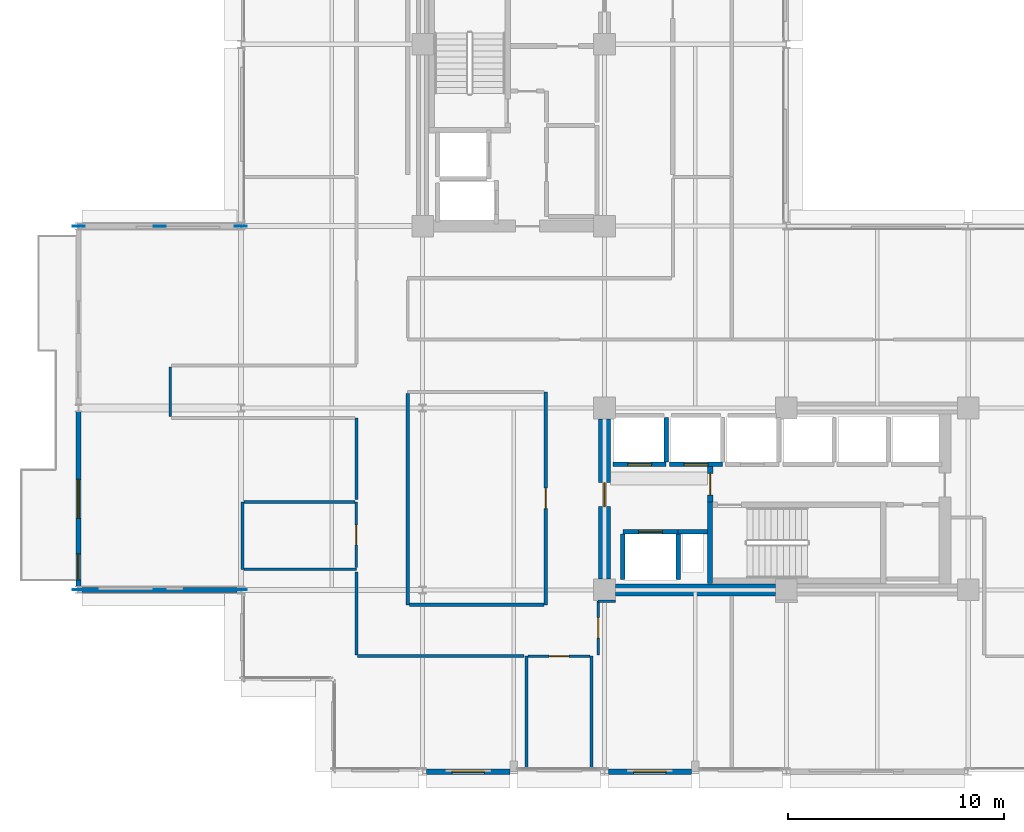
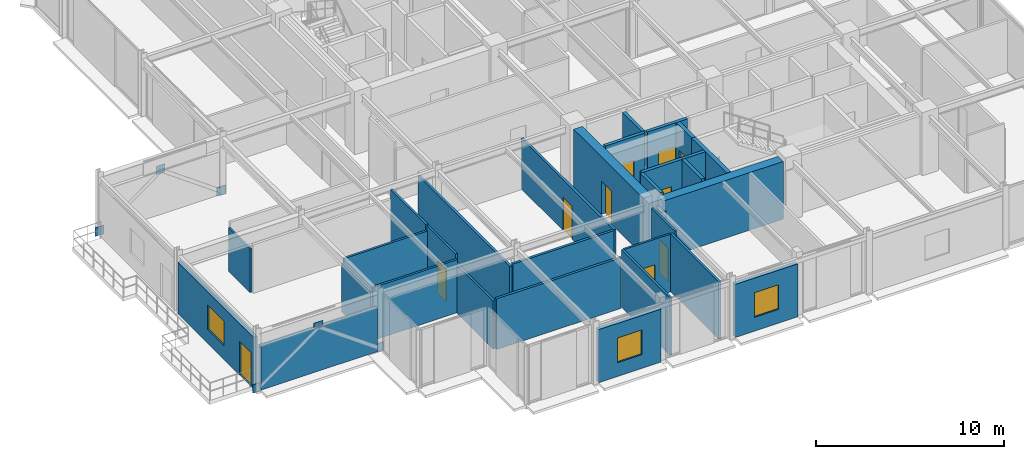
# One storey, part 24 of 30: 31 walls, 10 doors, 6 plates, 3 windows, 13 openings.
"""IFC4 building model written with IfcOpenShell, lengths in metres."""

from ifc_helpers import new_model, si_unit, direction, frame, frame_2d, origin, origin_2d, place, context, subcontext, project, spatial, rectangle, extrude, material, layer, layer_set, type_object, element, fill, save


model = new_model("IFC4")

# Units and contexts
model_context = context("Model", 3, precision=1e-05, world=origin(), true_north=direction((0.0, 1.0)))
body_context = subcontext(model_context, "Body", "Model", "MODEL_VIEW")
ifc_project = project(units=[si_unit("LENGTHUNIT", "METRE"), si_unit("AREAUNIT", "SQUARE_METRE"), si_unit("VOLUMEUNIT", "CUBIC_METRE"), si_unit("PLANEANGLEUNIT", "RADIAN"), si_unit("MASSUNIT", "GRAM", prefix="KILO")], contexts=[model_context])

# Site, building, storey
site_placement = place(None, origin())
site = spatial("IfcSite", under=ifc_project, at=site_placement, CompositionType="ELEMENT")
building_placement = place(site_placement, origin())
building = spatial("IfcBuilding", under=site, at=building_placement, Name="Nerrivon Quay Data Exchange", CompositionType="ELEMENT")
storey_placement = place(building_placement, frame((0.0, 0.0, 216.5)))
storey = spatial("IfcBuildingStorey", under=building, at=storey_placement, Name="L51", CompositionType="ELEMENT", Elevation=216.5)

# Plates
ifc_material_1 = material(Name="Steel Grade 350", Category="steel")
ifc_layer_1 = layer(ifc_material_1, 0.0400390625)
ifc_layer_set_1 = layer_set([ifc_layer_1], Name="Steel Grade 350")
plate_type = type_object("IfcPlateType", Name="PLT-TN02", PredefinedType="USERDEFINED", material=ifc_layer_set_1)
for number, where, z_axis, x_axis, name in (
    (1, (-0.010009765625, 8.39990234375, -0.115234375), (0.0, 0.0, 1.0), (1.0, 0.0, 0.0), "L51 node plate 69"),
    (2, (-3.75, 8.39990234375, 2.5751953125), (0.0, 0.0, 1.0), (1.0, 0.0, 0.0), "L51 node plate 70"),
    (3, (-7.4921875, 8.39990234375, -0.115234375), (0.0, 0.0, 1.0), (1.0, 0.0, 0.0), "L51 node plate 71"),
    (4, (-0.010009765625, 25.199951171875, -0.115234375), (0.0, 0.0, 1.0), (1.0, 0.0, 0.0), "L51 node plate 72"),
    (5, (-3.75, 25.199951171875, 2.5751953125), (0.0, 0.0, 1.0), (1.0, 0.0, 0.0), "L51 node plate 73"),
    (6, (-7.4921875, 25.199951171875, -0.115234375), (0.0, 0.0, 1.0), (1.0, 0.0, 0.0), "L51 node plate 74"),
):
    element("IfcPlate", number, at=place(storey_placement, frame(where, z_axis=z_axis, x_axis=x_axis)), inside=storey, type_object=plate_type, Name=name, ObjectType="GUSSET PLATE", PredefinedType="USERDEFINED", context=body_context, shape_type="SweptSolid", body=[
        extrude(rectangle(XDim=0.550048828125, YDim=0.035888671875, at=origin_2d()), origin(), (0.0, 0.0, 1.0), 0.550048828125),
    ])

# Wall, openings, door, window
ifc_material_2 = material(Name="Architectural terracotta precast concrete N50 (50 MPa)", Category="masonry")
ifc_layer_2 = layer(ifc_material_2, 0.239990234375)
ifc_layer_set_2 = layer_set([ifc_layer_2], Name="Architectural terracotta precast concrete N50 (50 MPa)")
wall_type_1 = type_object("IfcWallType", Name="EW-PREC-240", PredefinedType="STANDARD", material=ifc_layer_set_2)
wall_1_placement = place(storey_placement, frame((-7.5, 8.5634765625, 0.0), z_axis=(0.0, 0.0, 1.0), x_axis=(0.0, 1.0, 0.0)))
wall_1 = element("IfcWall", 7, at=wall_1_placement, inside=storey, type_object=wall_type_1, Name="L51 Terrace Host Wall 1", PredefinedType="STANDARD", context=body_context, shape_type="SweptSolid", body=[
    extrude(rectangle(XDim=8.072998046875, YDim=0.239990234375, at=frame_2d((4.03662109375, 0.0))), origin(), (0.0, 0.0, 1.0), 3.346923828125),
])
opening_1_placement = place(wall_1_placement, frame((0.300048828125, 0.0, 0.0)))
opening_1 = element("IfcOpeningElement", 8, at=opening_1_placement, cuts=wall_1, Name="Opening TD1", PredefinedType="OPENING", context=body_context, shape_type="SweptSolid", body=[
    extrude(rectangle(XDim=1.199951171875, YDim=2.199951171875, at=frame_2d((0.60009765625, 1.10009765625))), frame((0.0, 0.1298828125, 0.0), z_axis=(0.0, -1.0, 0.0), x_axis=(1.0, 0.0, 0.0)), (0.0, 0.0, 1.0), 0.260009765625),
])
opening_2_placement = place(wall_1_placement, frame((3.136474609375, 0.0, 0.89990234375)))
opening_2 = element("IfcOpeningElement", 9, at=opening_2_placement, cuts=wall_1, Name="Opening WN2", PredefinedType="OPENING", context=body_context, shape_type="SweptSolid", body=[
    extrude(rectangle(XDim=1.800048828125, YDim=1.60009765625, at=frame_2d((0.89990234375, 0.800048828125))), frame((0.0, 0.1298828125, 0.0), z_axis=(0.0, -1.0, 0.0), x_axis=(1.0, 0.0, 0.0)), (0.0, 0.0, 1.0), 0.260009765625),
])
ifc_material_3 = material(Name="Double-glazed low-E solar control glass", Category="glass")
door_type_1 = type_object("IfcDoorType", Name="DR-TERR-1200x2200", OperationType="NOTDEFINED", PredefinedType="DOOR", material=ifc_material_3)
door_1_placement = place(opening_1_placement, origin())
door_1 = element("IfcDoor", 10, at=door_1_placement, inside=storey, type_object=door_type_1, Name="L51 Outdoor Terrace Access Door 1", OperationType="SINGLE_SWING_RIGHT", OverallHeight=2.199951171875, OverallWidth=1.199951171875, PredefinedType="DOOR", context=body_context, shape_type="SweptSolid", body=[
    extrude(rectangle(XDim=1.199951171875, YDim=2.199951171875, at=frame_2d((0.60009765625, 1.10009765625))), frame((0.0, 0.02490234375, 0.0), z_axis=(0.0, -1.0, 0.0), x_axis=(1.0, 0.0, 0.0)), (0.0, 0.0, 1.0), 0.050048828125),
])
fill(opening_1, door_1)
window_type_1 = type_object("IfcWindowType", Name="WIN-W2-1800x1600", PartitioningType="SINGLE_PANEL", PredefinedType="WINDOW", material=ifc_material_3)
window_1_placement = place(opening_2_placement, origin())
window_1 = element("IfcWindow", 11, at=window_1_placement, inside=storey, type_object=window_type_1, Name="L51 Terrace Side Window 1", OverallHeight=1.60009765625, OverallWidth=1.800048828125, PartitioningType="SINGLE_PANEL", PredefinedType="WINDOW", context=body_context, shape_type="SweptSolid", body=[
    extrude(rectangle(XDim=1.800048828125, YDim=1.60009765625, at=frame_2d((0.89990234375, 0.800048828125))), frame((0.0, 0.030029296875, 0.0), z_axis=(0.0, -1.0, 0.0), x_axis=(1.0, 0.0, 0.0)), (0.0, 0.0, 1.0), 0.06005859375),
])
fill(opening_2, window_1)

# Wall, opening, window
wall_2_placement = place(storey_placement, frame((20.824951171875, 0.0, 0.0), z_axis=(0.0, 0.0, 1.0), x_axis=(-1.0, 0.0, 0.0)))
wall_2 = element("IfcWall", 12, at=wall_2_placement, inside=storey, type_object=wall_type_1, Name="L51 Podium Precast Spandrel Wall 25", PredefinedType="STANDARD", context=body_context, shape_type="SweptSolid", body=[
    extrude(rectangle(XDim=3.849853515625, YDim=0.239990234375, at=frame_2d((1.9248046875, 0.0))), origin(), (0.0, 0.0, 1.0), 3.449951171875),
])
opening_3_placement = place(wall_2_placement, frame((1.175048828125, 0.0, 0.89990234375)))
opening_3 = element("IfcOpeningElement", 13, at=opening_3_placement, cuts=wall_2, Name="Opening WN4", PredefinedType="OPENING", context=body_context, shape_type="SweptSolid", body=[
    extrude(rectangle(XDim=1.5, YDim=1.60009765625, at=frame_2d((0.75, 0.800048828125))), frame((0.0, 0.1298828125, 0.0), z_axis=(0.0, -1.0, 0.0), x_axis=(1.0, 0.0, 0.0)), (0.0, 0.0, 1.0), 0.260009765625),
])
window_type_2 = type_object("IfcWindowType", Name="WIN-W4-1500x1600", PartitioningType="SINGLE_PANEL", PredefinedType="WINDOW", material=ifc_material_3)
window_2_placement = place(opening_3_placement, origin())
window_2 = element("IfcWindow", 14, at=window_2_placement, inside=storey, type_object=window_type_2, Name="L51 Solar Facade Window 25", OverallHeight=1.60009765625, OverallWidth=1.5, PartitioningType="SINGLE_PANEL", PredefinedType="WINDOW", context=body_context, shape_type="SweptSolid", body=[
    extrude(rectangle(XDim=1.5, YDim=1.60009765625, at=frame_2d((0.75, 0.800048828125))), frame((0.0, 0.030029296875, 0.0), z_axis=(0.0, -1.0, 0.0), x_axis=(1.0, 0.0, 0.0)), (0.0, 0.0, 1.0), 0.06005859375),
])
fill(opening_3, window_2)

wall_3_placement = place(storey_placement, frame((12.425048828125, 0.0, 0.0), z_axis=(0.0, 0.0, 1.0), x_axis=(-1.0, 0.0, 0.0)))
wall_3 = element("IfcWall", 15, at=wall_3_placement, inside=storey, type_object=wall_type_1, Name="L51 Podium Precast Spandrel Wall 27", PredefinedType="STANDARD", context=body_context, shape_type="SweptSolid", body=[
    extrude(rectangle(XDim=3.85009765625, YDim=0.239990234375, at=frame_2d((1.925048828125, 0.0))), origin(), (0.0, 0.0, 1.0), 3.449951171875),
])
opening_4_placement = place(wall_3_placement, frame((1.175048828125, 0.0, 0.89990234375)))
opening_4 = element("IfcOpeningElement", 16, at=opening_4_placement, cuts=wall_3, Name="Opening WN4", PredefinedType="OPENING", context=body_context, shape_type="SweptSolid", body=[
    extrude(rectangle(XDim=1.5, YDim=1.60009765625, at=frame_2d((0.75, 0.800048828125))), frame((0.0, 0.1298828125, 0.0), z_axis=(0.0, -1.0, 0.0), x_axis=(1.0, 0.0, 0.0)), (0.0, 0.0, 1.0), 0.260009765625),
])
window_3_placement = place(opening_4_placement, origin())
window_3 = element("IfcWindow", 17, at=window_3_placement, inside=storey, type_object=window_type_2, Name="L51 Solar Facade Window 27", OverallHeight=1.60009765625, OverallWidth=1.5, PartitioningType="SINGLE_PANEL", PredefinedType="WINDOW", context=body_context, shape_type="SweptSolid", body=[
    extrude(rectangle(XDim=1.5, YDim=1.60009765625, at=frame_2d((0.75, 0.800048828125))), frame((0.0, 0.030029296875, 0.0), z_axis=(0.0, -1.0, 0.0), x_axis=(1.0, 0.0, 0.0)), (0.0, 0.0, 1.0), 0.06005859375),
])
fill(opening_4, window_3)

# Walls
wall_4_placement = place(storey_placement, frame((-0.175048828125, 8.39990234375, 0.0), z_axis=(0.0, 0.0, 1.0), x_axis=(-1.0, 0.0, 0.0)))
element("IfcWall", 18, at=wall_4_placement, inside=storey, type_object=wall_type_1, Name="L51 Plant Enclosure Wall 32", PredefinedType="STANDARD", context=body_context, shape_type="SweptSolid", body=[
    extrude(rectangle(XDim=7.16943359375, YDim=0.239990234375, at=frame_2d((3.584716796875, 0.0))), origin(), (0.0, 0.0, 1.0), 2.840087890625),
])
ifc_material_4 = material(Name="Concrete S65 (65 MPa)", Category="concrete")
ifc_layer_3 = layer(ifc_material_4, 0.550048828125)
ifc_layer_set_3 = layer_set([ifc_layer_3], Name="Concrete S65 (65 MPa)")
wall_type_2 = type_object("IfcWallType", Name="WALL-CW-700", PredefinedType="SHEAR", material=ifc_layer_set_3)
wall_5_placement = place(storey_placement, frame((17.300048828125, 8.39990234375, 0.0), z_axis=(0.0, 0.0, 1.0), x_axis=(1.0, 0.0, 0.0)))
element("IfcWall", 19, at=wall_5_placement, inside=storey, type_object=wall_type_2, Name="L51 East Split-Core Shear Wall ECW-S1", PredefinedType="SHEAR", context=body_context, shape_type="SweptSolid", body=[
    extrude(rectangle(XDim=7.39990234375, YDim=0.550048828125, at=frame_2d((3.699951171875, 0.0))), origin(), (0.0, 0.0, 1.0), 3.75),
])

# Wall, opening, door
wall_6_placement = place(storey_placement, frame((16.800048828125, 8.89990234375, 0.0), z_axis=(0.0, 0.0, 1.0), x_axis=(0.0, 1.0, 0.0)))
wall_6 = element("IfcWall", 20, at=wall_6_placement, inside=storey, type_object=wall_type_2, Name="L51 East Split-Core Shear Wall ECW-W1", PredefinedType="SHEAR", context=body_context, shape_type="SweptSolid", body=[
    extrude(rectangle(XDim=7.400146484375, YDim=0.550048828125, at=frame_2d((3.7001953125, 0.0))), origin(), (0.0, 0.0, 1.0), 3.75),
])
opening_5_placement = place(wall_6_placement, frame((3.35009765625, 0.0, 0.0)))
opening_5 = element("IfcOpeningElement", 21, at=opening_5_placement, cuts=wall_6, Name="Opening FD-120", PredefinedType="OPENING", context=body_context, shape_type="SweptSolid", body=[
    extrude(rectangle(XDim=1.10009765625, YDim=2.14990234375, at=frame_2d((0.550048828125, 1.074951171875))), frame((0.0, 0.284912109375, 0.0), z_axis=(0.0, -1.0, 0.0), x_axis=(1.0, 0.0, 0.0)), (0.0, 0.0, 1.0), 0.570068359375),
])
ifc_material_5 = material(Name="Powder-coated galvanized steel sheet", Category="steel")
door_type_2 = type_object("IfcDoorType", Name="DR-FD120-1100", OperationType="NOTDEFINED", PredefinedType="DOOR", material=ifc_material_5)
door_2_placement = place(opening_5_placement, origin())
door_2 = element("IfcDoor", 22, at=door_2_placement, inside=storey, type_object=door_type_2, Name="L51 East Core Lobby Fire Door", OperationType="SINGLE_SWING_RIGHT", OverallHeight=2.14990234375, OverallWidth=1.10009765625, PredefinedType="DOOR", context=body_context, shape_type="SweptSolid", body=[
    extrude(rectangle(XDim=1.10009765625, YDim=2.14990234375, at=frame_2d((0.550048828125, 1.074951171875))), frame((0.0, 0.02490234375, 0.0), z_axis=(0.0, -1.0, 0.0), x_axis=(1.0, 0.0, 0.0)), (0.0, 0.0, 1.0), 0.050048828125),
])
fill(opening_5, door_2)

# Wall
ifc_material_6 = material(Name="Gypsum plasterboard on cold-formed framing", Category="gypsum")
ifc_layer_4 = layer(ifc_material_6, 0.199951171875)
ifc_layer_set_4 = layer_set([ifc_layer_4], Name="Gypsum plasterboard on cold-formed framing")
wall_type_3 = type_object("IfcWallType", Name="WALL-FW-200", PredefinedType="PARTITIONING", material=ifc_layer_set_4)
wall_7_placement = place(storey_placement, frame((20.199951171875, 11.080078125, 0.0), z_axis=(0.0, 0.0, 1.0), x_axis=(1.0, 0.0, 0.0)))
element("IfcWall", 23, at=wall_7_placement, inside=storey, type_object=wall_type_3, Name="L51 East Core MEP Riser Shaft Wall N", PredefinedType="PARTITIONING", context=body_context, shape_type="SweptSolid", body=[
    extrude(rectangle(XDim=1.35009765625, YDim=0.199951171875, at=frame_2d((0.675048828125, 0.0))), origin(), (0.0, 0.0, 1.0), 3.75),
])

# Wall, opening, door
wall_8_placement = place(storey_placement, frame((17.64990234375, 11.080078125, 0.0), z_axis=(0.0, 0.0, 1.0), x_axis=(1.0, 0.0, 0.0)))
wall_8 = element("IfcWall", 24, at=wall_8_placement, inside=storey, type_object=wall_type_3, Name="L51 Lift Front Wall FFL-2", PredefinedType="PARTITIONING", context=body_context, shape_type="SweptSolid", body=[
    extrude(rectangle(XDim=2.550048828125, YDim=0.199951171875, at=frame_2d((1.27490234375, 0.0))), origin(), (0.0, 0.0, 1.0), 3.75),
])
opening_6_placement = place(wall_8_placement, frame((0.72509765625, 0.0, 0.0)))
opening_6 = element("IfcOpeningElement", 25, at=opening_6_placement, cuts=wall_8, Name="Opening LD-120", PredefinedType="OPENING", context=body_context, shape_type="SweptSolid", body=[
    extrude(rectangle(XDim=1.10009765625, YDim=2.199951171875, at=frame_2d((0.550048828125, 1.10009765625))), frame((0.0, 0.10986328125, 0.0), z_axis=(0.0, -1.0, 0.0), x_axis=(1.0, 0.0, 0.0)), (0.0, 0.0, 1.0), 0.219970703125),
])
door_type_3 = type_object("IfcDoorType", Name="DR-LIFT-LD120", OperationType="DOUBLE_DOOR_SLIDING", PredefinedType="DOOR", material=ifc_material_5)
door_3_placement = place(opening_6_placement, origin())
door_3 = element("IfcDoor", 26, at=door_3_placement, inside=storey, type_object=door_type_3, Name="L51 Lift Landing Sliding Door FFL-2", OperationType="DOUBLE_DOOR_SLIDING", OverallHeight=2.199951171875, OverallWidth=1.10009765625, PredefinedType="DOOR", context=body_context, shape_type="SweptSolid", body=[
    extrude(rectangle(XDim=1.10009765625, YDim=2.199951171875, at=frame_2d((0.550048828125, 1.10009765625))), frame((0.0, 0.02490234375, 0.0), z_axis=(0.0, -1.0, 0.0), x_axis=(1.0, 0.0, 0.0)), (0.0, 0.0, 1.0), 0.050048828125),
])
fill(opening_6, door_3)

# Walls
for number, where, z_axis, x_axis, name in (
    (27, (20.199951171875, 8.8798828125, 0.0), (0.0, 0.0, 1.0), (0.0, 1.0, 0.0), "L51 Lift Shaft Wall FFL-2 EAST"),
    (28, (17.64990234375, 8.8798828125, 0.0), (0.0, 0.0, 1.0), (0.0, 1.0, 0.0), "L51 Lift Shaft Wall FFL-2 WEST"),
):
    element("IfcWall", number, at=place(storey_placement, frame(where, z_axis=z_axis, x_axis=x_axis)), inside=storey, type_object=wall_type_3, Name=name, PredefinedType="PARTITIONING", context=body_context, shape_type="SweptSolid", body=[
        extrude(rectangle(XDim=2.10009765625, YDim=0.199951171875, at=frame_2d((1.050048828125, 0.0))), origin(), (0.0, 0.0, 1.0), 3.75),
    ])

# Wall, opening, door
wall_9_placement = place(storey_placement, frame((17.199951171875, 14.199951171875, 0.0), z_axis=(0.0, 0.0, 1.0), x_axis=(1.0, 0.0, 0.0)))
wall_9 = element("IfcWall", 29, at=wall_9_placement, inside=storey, type_object=wall_type_3, Name="L51 Lift Front Wall PL4", PredefinedType="PARTITIONING", context=body_context, shape_type="SweptSolid", body=[
    extrude(rectangle(XDim=2.449951171875, YDim=0.199951171875, at=frame_2d((1.22509765625, 0.0))), origin(), (0.0, 0.0, 1.0), 3.75),
])
opening_7_placement = place(wall_9_placement, frame((0.675048828125, 0.0, 0.0)))
opening_7 = element("IfcOpeningElement", 30, at=opening_7_placement, cuts=wall_9, Name="Opening LD-120", PredefinedType="OPENING", context=body_context, shape_type="SweptSolid", body=[
    extrude(rectangle(XDim=1.10009765625, YDim=2.199951171875, at=frame_2d((0.550048828125, 1.10009765625))), frame((0.0, 0.10986328125, 0.0), z_axis=(0.0, -1.0, 0.0), x_axis=(1.0, 0.0, 0.0)), (0.0, 0.0, 1.0), 0.219970703125),
])
door_4_placement = place(opening_7_placement, origin())
door_4 = element("IfcDoor", 31, at=door_4_placement, inside=storey, type_object=door_type_3, Name="L51 Lift Landing Sliding Door PL4", OperationType="DOUBLE_DOOR_SLIDING", OverallHeight=2.199951171875, OverallWidth=1.10009765625, PredefinedType="DOOR", context=body_context, shape_type="SweptSolid", body=[
    extrude(rectangle(XDim=1.10009765625, YDim=2.199951171875, at=frame_2d((0.550048828125, 1.10009765625))), frame((0.0, 0.02490234375, 0.0), z_axis=(0.0, -1.0, 0.0), x_axis=(1.0, 0.0, 0.0)), (0.0, 0.0, 1.0), 0.050048828125),
])
fill(opening_7, door_4)

# Wall
wall_10_placement = place(storey_placement, frame((19.64990234375, 14.300048828125, 0.0), z_axis=(0.0, 0.0, 1.0), x_axis=(0.0, 1.0, 0.0)))
element("IfcWall", 32, at=wall_10_placement, inside=storey, type_object=wall_type_3, Name="L51 Lift Shaft Wall PL4 EAST", PredefinedType="PARTITIONING", context=body_context, shape_type="SweptSolid", body=[
    extrude(rectangle(XDim=2.050048828125, YDim=0.199951171875, at=frame_2d((1.02490234375, 0.0))), origin(), (0.0, 0.0, 1.0), 3.75),
])

# Wall, opening, door
wall_11_placement = place(storey_placement, frame((19.800048828125, 14.199951171875, 0.0), z_axis=(0.0, 0.0, 1.0), x_axis=(1.0, 0.0, 0.0)))
wall_11 = element("IfcWall", 33, at=wall_11_placement, inside=storey, type_object=wall_type_3, Name="L51 Lift Front Wall PL5", PredefinedType="PARTITIONING", context=body_context, shape_type="SweptSolid", body=[
    extrude(rectangle(XDim=2.449951171875, YDim=0.199951171875, at=frame_2d((1.22509765625, 0.0))), origin(), (0.0, 0.0, 1.0), 3.75),
])
opening_8_placement = place(wall_11_placement, frame((0.675048828125, 0.0, 0.0)))
opening_8 = element("IfcOpeningElement", 34, at=opening_8_placement, cuts=wall_11, Name="Opening LD-120", PredefinedType="OPENING", context=body_context, shape_type="SweptSolid", body=[
    extrude(rectangle(XDim=1.10009765625, YDim=2.199951171875, at=frame_2d((0.550048828125, 1.10009765625))), frame((0.0, 0.10986328125, 0.0), z_axis=(0.0, -1.0, 0.0), x_axis=(1.0, 0.0, 0.0)), (0.0, 0.0, 1.0), 0.219970703125),
])
door_5_placement = place(opening_8_placement, origin())
door_5 = element("IfcDoor", 35, at=door_5_placement, inside=storey, type_object=door_type_3, Name="L51 Lift Landing Sliding Door PL5", OperationType="DOUBLE_DOOR_SLIDING", OverallHeight=2.199951171875, OverallWidth=1.10009765625, PredefinedType="DOOR", context=body_context, shape_type="SweptSolid", body=[
    extrude(rectangle(XDim=1.10009765625, YDim=2.199951171875, at=frame_2d((0.550048828125, 1.10009765625))), frame((0.0, 0.02490234375, 0.0), z_axis=(0.0, -1.0, 0.0), x_axis=(1.0, 0.0, 0.0)), (0.0, 0.0, 1.0), 0.050048828125),
])
fill(opening_8, door_5)

ifc_layer_5 = layer(ifc_material_6, 0.1201171875)
ifc_layer_set_5 = layer_set([ifc_layer_5], Name="Gypsum plasterboard on cold-formed framing")
wall_type_4 = type_object("IfcWallType", Name="WALL-PT-120", PredefinedType="PARTITIONING", material=ifc_layer_set_5)
wall_12_placement = place(storey_placement, frame((16.12841796875, 5.340087890625, 0.0), z_axis=(0.0, 0.0, 1.0), x_axis=(-1.0, 0.0, 0.0)))
wall_12 = element("IfcWall", 36, at=wall_12_placement, inside=storey, type_object=wall_type_4, Name="L51 Partition Accessible Toilet", PredefinedType="PARTITIONING", context=body_context, shape_type="SweptSolid", body=[
    extrude(rectangle(XDim=2.85693359375, YDim=0.1201171875, at=frame_2d((1.428466796875, 0.0))), origin(), (0.0, 0.0, 1.0), 3.75),
])
opening_9_placement = place(wall_12_placement, frame((0.968505859375, 0.0, 0.0)))
opening_9 = element("IfcOpeningElement", 37, at=opening_9_placement, cuts=wall_12, Name="Opening D-WC", PredefinedType="OPENING", context=body_context, shape_type="SweptSolid", body=[
    extrude(rectangle(XDim=0.919921875, YDim=2.10009765625, at=frame_2d((0.4599609375, 1.050048828125))), frame((0.0, 0.070068359375, 0.0), z_axis=(0.0, -1.0, 0.0), x_axis=(1.0, 0.0, 0.0)), (0.0, 0.0, 1.0), 0.14013671875),
])
ifc_material_7 = material(Name="Engineered hardwood timber", Category="wood")
door_type_4 = type_object("IfcDoorType", Name="DR-WC-920", OperationType="NOTDEFINED", PredefinedType="DOOR", material=ifc_material_7)
door_6_placement = place(opening_9_placement, origin())
door_6 = element("IfcDoor", 38, at=door_6_placement, inside=storey, type_object=door_type_4, Name="L51 Door Accessible Toilet", OperationType="SINGLE_SWING_RIGHT", OverallHeight=2.10009765625, OverallWidth=0.919921875, PredefinedType="DOOR", context=body_context, shape_type="SweptSolid", body=[
    extrude(rectangle(XDim=0.919921875, YDim=2.10009765625, at=frame_2d((0.4599609375, 1.050048828125))), frame((0.0, 0.02490234375, 0.0), z_axis=(0.0, -1.0, 0.0), x_axis=(1.0, 0.0, 0.0)), (0.0, 0.0, 1.0), 0.050048828125),
])
fill(opening_9, door_6)

# Wall
wall_13_placement = place(storey_placement, frame((0.080078125, 12.449951171875, 0.0), z_axis=(0.0, 0.0, 1.0), x_axis=(0.0, -1.0, 0.0)))
element("IfcWall", 39, at=wall_13_placement, inside=storey, type_object=wall_type_4, Name="L51 Partition Public Washrooms", PredefinedType="PARTITIONING", context=body_context, shape_type="SweptSolid", body=[
    extrude(rectangle(XDim=3.099853515625, YDim=0.1201171875, at=frame_2d((1.5498046875, 0.0))), origin(), (0.0, 0.0, 1.0), 3.14794921875),
])

# Wall, opening, door
wall_14_placement = place(storey_placement, frame((5.340087890625, 9.42138671875, 0.0), z_axis=(0.0, 0.0, 1.0), x_axis=(0.0, 1.0, 0.0)))
wall_14 = element("IfcWall", 40, at=wall_14_placement, inside=storey, type_object=wall_type_4, Name="L51 Partition Public Washrooms", PredefinedType="PARTITIONING", context=body_context, shape_type="SweptSolid", body=[
    extrude(rectangle(XDim=3.028564453125, YDim=0.1201171875, at=frame_2d((1.51416015625, 0.0))), origin(), (0.0, 0.0, 1.0), 3.75),
])
opening_10_placement = place(wall_14_placement, frame((1.05419921875, 0.0, 0.0)))
opening_10 = element("IfcOpeningElement", 41, at=opening_10_placement, cuts=wall_14, Name="Opening D-WC", PredefinedType="OPENING", context=body_context, shape_type="SweptSolid", body=[
    extrude(rectangle(XDim=0.919921875, YDim=2.10009765625, at=frame_2d((0.4599609375, 1.050048828125))), frame((0.0, 0.070068359375, 0.0), z_axis=(0.0, -1.0, 0.0), x_axis=(1.0, 0.0, 0.0)), (0.0, 0.0, 1.0), 0.14013671875),
])
door_7_placement = place(opening_10_placement, origin())
door_7 = element("IfcDoor", 42, at=door_7_placement, inside=storey, type_object=door_type_4, Name="L51 Door Public Washrooms", OperationType="SINGLE_SWING_LEFT", OverallHeight=2.10009765625, OverallWidth=0.919921875, PredefinedType="DOOR", context=body_context, shape_type="SweptSolid", body=[
    extrude(rectangle(XDim=0.919921875, YDim=2.10009765625, at=frame_2d((0.4599609375, 1.050048828125))), frame((0.0, 0.02490234375, 0.0), z_axis=(0.0, -1.0, 0.0), x_axis=(1.0, 0.0, 0.0)), (0.0, 0.0, 1.0), 0.050048828125),
])
fill(opening_10, door_7)

# Wall
wall_15_placement = place(storey_placement, frame((17.305908203125, 7.880859375, 0.0), z_axis=(0.0, 0.0, 1.0), x_axis=(-0.999999247244, -0.001226992941, 0.0)))
element("IfcWall", 43, at=wall_15_placement, inside=storey, type_object=wall_type_4, Name="L51 Partition Staff Pantry", PredefinedType="PARTITIONING", context=body_context, shape_type="SweptSolid", body=[
    extrude(rectangle(XDim=0.7958984375, YDim=0.1201171875, at=frame_2d((0.39794921875, 0.0))), origin(), (0.0, 0.0, 1.0), 3.2958984375),
])

# Wall, opening, door
wall_16_placement = place(storey_placement, frame((16.510009765625, 7.8798828125, 0.0), z_axis=(0.0, 0.0, 1.0), x_axis=(0.0, -1.0, 0.0)))
wall_16 = element("IfcWall", 44, at=wall_16_placement, inside=storey, type_object=wall_type_4, Name="L51 Partition Staff Pantry", PredefinedType="PARTITIONING", context=body_context, shape_type="SweptSolid", body=[
    extrude(rectangle(XDim=2.47998046875, YDim=0.1201171875, at=frame_2d((1.239990234375, 0.0))), origin(), (0.0, 0.0, 1.0), 3.75),
])
opening_11_placement = place(wall_16_placement, frame((0.764892578125, 0.0, 0.0)))
opening_11 = element("IfcOpeningElement", 45, at=opening_11_placement, cuts=wall_16, Name="Opening D-01", PredefinedType="OPENING", context=body_context, shape_type="SweptSolid", body=[
    extrude(rectangle(XDim=0.949951171875, YDim=2.14990234375, at=frame_2d((0.47509765625, 1.074951171875))), frame((0.0, 0.070068359375, 0.0), z_axis=(0.0, -1.0, 0.0), x_axis=(1.0, 0.0, 0.0)), (0.0, 0.0, 1.0), 0.14013671875),
])
door_type_5 = type_object("IfcDoorType", Name="DR-INT-950", OperationType="NOTDEFINED", PredefinedType="DOOR", material=ifc_material_7)
door_8_placement = place(opening_11_placement, origin())
door_8 = element("IfcDoor", 46, at=door_8_placement, inside=storey, type_object=door_type_5, Name="L51 Door Staff Pantry", OperationType="SINGLE_SWING_RIGHT", OverallHeight=2.14990234375, OverallWidth=0.949951171875, PredefinedType="DOOR", context=body_context, shape_type="SweptSolid", body=[
    extrude(rectangle(XDim=0.949951171875, YDim=2.14990234375, at=frame_2d((0.47509765625, 1.074951171875))), frame((0.0, 0.02490234375, 0.0), z_axis=(0.0, -1.0, 0.0), x_axis=(1.0, 0.0, 0.0)), (0.0, 0.0, 1.0), 0.050048828125),
])
fill(opening_11, door_8)

# Walls
wall_17_placement = place(storey_placement, frame((-3.260009765625, 16.39990234375, 0.0), z_axis=(0.0, 0.0, 1.0), x_axis=(0.0, 1.0, 0.0)))
element("IfcWall", 47, at=wall_17_placement, inside=storey, type_object=wall_type_4, Name="L51 Partition Technical Library", PredefinedType="PARTITIONING", context=body_context, shape_type="SweptSolid", body=[
    extrude(rectangle(XDim=2.300048828125, YDim=0.1201171875, at=frame_2d((1.14990234375, 0.0))), origin(), (0.0, 0.0, 1.0), 2.840087890625),
])
ifc_layer_6 = layer(ifc_material_6, 0.135009765625)
ifc_layer_set_6 = layer_set([ifc_layer_6], Name="Gypsum plasterboard on cold-formed framing")
wall_type_5 = type_object("IfcWallType", Name="WALL-PT-135", PredefinedType="PARTITIONING", material=ifc_layer_set_6)
for number, where, z_axis, x_axis, name in (
    (48, (13.199951171875, 5.340087890625, 0.0), (0.0, 0.0, 1.0), (0.0, -1.0, 0.0), "L51 Partition Accessible Toilet"),
    (49, (16.199951171875, 0.1689453125, 0.0), (0.0, 0.0, 1.0), (0.0, 1.0, 0.0), "L51 Partition Accessible Toilet"),
):
    element("IfcWall", number, at=place(storey_placement, frame(where, z_axis=z_axis, x_axis=x_axis)), inside=storey, type_object=wall_type_5, Name=name, PredefinedType="PARTITIONING", context=body_context, shape_type="SweptSolid", body=[
        extrude(rectangle(XDim=5.171142578125, YDim=0.135009765625, at=frame_2d((2.58544921875, 0.0))), origin(), (0.0, 0.0, 1.0), 3.75),
    ])
wall_18_placement = place(storey_placement, frame((0.14404296875, 9.35009765625, 0.0), z_axis=(0.0, 0.0, 1.0), x_axis=(1.0, 0.0, 0.0)))
element("IfcWall", 50, at=wall_18_placement, inside=storey, type_object=wall_type_5, Name="L51 Partition Public Washrooms", PredefinedType="PARTITIONING", context=body_context, shape_type="SweptSolid", body=[
    extrude(rectangle(XDim=5.196044921875, YDim=0.135009765625, at=frame_2d((2.59814453125, 0.0))), origin(), (0.0, 0.0, 1.0), 3.443115234375),
])
wall_19_placement = place(storey_placement, frame((5.27587890625, 12.449951171875, 0.0), z_axis=(0.0, 0.0, 1.0), x_axis=(-1.0, 0.0, 0.0)))
element("IfcWall", 51, at=wall_19_placement, inside=storey, type_object=wall_type_5, Name="L51 Partition Public Washrooms", PredefinedType="PARTITIONING", context=body_context, shape_type="SweptSolid", body=[
    extrude(rectangle(XDim=5.1318359375, YDim=0.135009765625, at=frame_2d((2.56591796875, 0.0))), origin(), (0.0, 0.0, 1.0), 3.443115234375),
])
wall_20_placement = place(storey_placement, frame((5.340087890625, 5.39990234375, 0.0), z_axis=(0.0, 0.0, 1.0), x_axis=(0.0, 1.0, 0.0)))
element("IfcWall", 52, at=wall_20_placement, inside=storey, type_object=wall_type_5, Name="L51 Partition Technical Library", PredefinedType="PARTITIONING", context=body_context, shape_type="SweptSolid", body=[
    extrude(rectangle(XDim=3.830078125, YDim=0.135009765625, at=frame_2d((1.9150390625, 0.0))), origin(), (0.0, 0.0, 1.0), 3.137939453125),
])
wall_21_placement = place(storey_placement, frame((5.340087890625, 12.570068359375, 0.0), z_axis=(0.0, 0.0, 1.0), x_axis=(0.0, 1.0, 0.0)))
element("IfcWall", 53, at=wall_21_placement, inside=storey, type_object=wall_type_5, Name="L51 Partition Technical Library", PredefinedType="PARTITIONING", context=body_context, shape_type="SweptSolid", body=[
    extrude(rectangle(XDim=3.77001953125, YDim=0.135009765625, at=frame_2d((1.885009765625, 0.0))), origin(), (0.0, 0.0, 1.0), 3.75),
])

# Wall, opening, door
ifc_layer_7 = layer(ifc_material_6, 0.14990234375)
ifc_layer_set_7 = layer_set([ifc_layer_7], Name="Gypsum plasterboard on cold-formed framing")
wall_type_6 = type_object("IfcWallType", Name="WALL-PT-150", PredefinedType="PARTITIONING", material=ifc_layer_set_7)
wall_22_placement = place(storey_placement, frame((14.090087890625, 7.7099609375, 0.0), z_axis=(0.0, 0.0, 1.0), x_axis=(0.0, 1.0, 0.0)))
wall_22 = element("IfcWall", 54, at=wall_22_placement, inside=storey, type_object=wall_type_6, Name="L51 Partition Mail and Crew Room", PredefinedType="PARTITIONING", context=body_context, shape_type="SweptSolid", body=[
    extrude(rectangle(XDim=9.830078125, YDim=0.14990234375, at=frame_2d((4.9150390625, 0.0))), origin(), (0.0, 0.0, 1.0), 3.2900390625),
])
opening_12_placement = place(wall_22_placement, frame((4.43994140625, 0.0, 0.0)))
opening_12 = element("IfcOpeningElement", 55, at=opening_12_placement, cuts=wall_22, Name="Opening D-01", PredefinedType="OPENING", context=body_context, shape_type="SweptSolid", body=[
    extrude(rectangle(XDim=0.949951171875, YDim=2.14990234375, at=frame_2d((0.47509765625, 1.074951171875))), frame((0.0, 0.0849609375, 0.0), z_axis=(0.0, -1.0, 0.0), x_axis=(1.0, 0.0, 0.0)), (0.0, 0.0, 1.0), 0.169921875),
])
door_9_placement = place(opening_12_placement, origin())
door_9 = element("IfcDoor", 56, at=door_9_placement, inside=storey, type_object=door_type_5, Name="L51 Door Mail and Crew Room", OperationType="SINGLE_SWING_RIGHT", OverallHeight=2.14990234375, OverallWidth=0.949951171875, PredefinedType="DOOR", context=body_context, shape_type="SweptSolid", body=[
    extrude(rectangle(XDim=0.949951171875, YDim=2.14990234375, at=frame_2d((0.47509765625, 1.074951171875))), frame((0.0, 0.02490234375, 0.0), z_axis=(0.0, -1.0, 0.0), x_axis=(1.0, 0.0, 0.0)), (0.0, 0.0, 1.0), 0.050048828125),
])
fill(opening_12, door_9)

# Walls
wall_23_placement = place(storey_placement, frame((7.7099609375, 17.4609375, 0.0), z_axis=(0.0, 0.0, 1.0), x_axis=(0.0, -1.0, 0.0)))
element("IfcWall", 57, at=wall_23_placement, inside=storey, type_object=wall_type_6, Name="L51 Partition Mail and Crew Room", PredefinedType="PARTITIONING", context=body_context, shape_type="SweptSolid", body=[
    extrude(rectangle(XDim=9.7509765625, YDim=0.14990234375, at=frame_2d((4.87548828125, 0.0))), origin(), (0.0, 0.0, 1.0), 3.137939453125),
])
wall_24_placement = place(storey_placement, frame((7.7890625, 7.7099609375, 0.0), z_axis=(0.0, 0.0, 1.0), x_axis=(1.0, 0.0, 0.0)))
element("IfcWall", 58, at=wall_24_placement, inside=storey, type_object=wall_type_6, Name="L51 Partition Mail and Crew Room", PredefinedType="PARTITIONING", context=body_context, shape_type="SweptSolid", body=[
    extrude(rectangle(XDim=6.221923828125, YDim=0.14990234375, at=frame_2d((3.11083984375, 0.0))), origin(), (0.0, 0.0, 1.0), 3.2958984375),
])
wall_25_placement = place(storey_placement, frame((13.080078125, 5.340087890625, 0.0), z_axis=(0.0, 0.0, 1.0), x_axis=(-1.0, 0.0, 0.0)))
element("IfcWall", 59, at=wall_25_placement, inside=storey, type_object=wall_type_6, Name="L51 Partition Technical Library", PredefinedType="PARTITIONING", context=body_context, shape_type="SweptSolid", body=[
    extrude(rectangle(XDim=7.68017578125, YDim=0.14990234375, at=frame_2d((3.840087890625, 0.0))), origin(), (0.0, 0.0, 1.0), 3.2958984375),
])
ifc_material_8 = material(Name="Concrete N50 (50 MPa)", Category="concrete")
ifc_layer_8 = layer(ifc_material_8, 0.25)
ifc_layer_set_8 = layer_set([ifc_layer_8], Name="Concrete N50 (50 MPa)")
wall_type_7 = type_object("IfcWallType", Name="WALL-SW-250", PredefinedType="SHEAR", material=ifc_layer_set_8)
wall_26_placement = place(storey_placement, frame((21.675048828125, 8.699951171875, 0.0), z_axis=(0.0, 0.0, 1.0), x_axis=(0.0, 1.0, 0.0)))
element("IfcWall", 60, at=wall_26_placement, inside=storey, type_object=wall_type_7, Name="L51 ST02 Structural Stair Core Wall NEAR", PredefinedType="SHEAR", context=body_context, shape_type="SweptSolid", body=[
    extrude(rectangle(XDim=3.75, YDim=0.25, at=frame_2d((1.875, 0.0))), origin(), (0.0, 0.0, 1.0), 3.75),
])

# Wall, opening, door
wall_27_placement = place(storey_placement, frame((21.679931640625, 12.449951171875, 0.0), z_axis=(0.0, 0.0, 1.0), x_axis=(0.0, 1.0, 0.0)))
wall_27 = element("IfcWall", 61, at=wall_27_placement, inside=storey, type_object=wall_type_7, Name="L51 East Firefighting Lobby Wall", PredefinedType="SHEAR", context=body_context, shape_type="SweptSolid", body=[
    extrude(rectangle(XDim=1.650146484375, YDim=0.25, at=frame_2d((0.8251953125, 0.0))), origin(), (0.0, 0.0, 1.0), 3.75),
])
opening_13_placement = place(wall_27_placement, frame((0.324951171875, 0.0, 0.0)))
opening_13 = element("IfcOpeningElement", 62, at=opening_13_placement, cuts=wall_27, Name="Opening FD-60", PredefinedType="OPENING", context=body_context, shape_type="SweptSolid", body=[
    extrude(rectangle(XDim=1.0, YDim=2.14990234375, at=frame_2d((0.5, 1.074951171875))), frame((0.0, 0.135009765625, 0.0), z_axis=(0.0, -1.0, 0.0), x_axis=(1.0, 0.0, 0.0)), (0.0, 0.0, 1.0), 0.27001953125),
])
door_type_6 = type_object("IfcDoorType", Name="DR-FD60-1000", OperationType="NOTDEFINED", PredefinedType="DOOR", material=ifc_material_7)
door_10_placement = place(opening_13_placement, origin())
door_10 = element("IfcDoor", 63, at=door_10_placement, inside=storey, type_object=door_type_6, Name="L51 East Firefighting Lobby Fire Door", OperationType="SINGLE_SWING_RIGHT", OverallHeight=2.14990234375, OverallWidth=1.0, PredefinedType="DOOR", context=body_context, shape_type="SweptSolid", body=[
    extrude(rectangle(XDim=1.0, YDim=2.14990234375, at=frame_2d((0.5, 1.074951171875))), frame((0.0, 0.02490234375, 0.0), z_axis=(0.0, -1.0, 0.0), x_axis=(1.0, 0.0, 0.0)), (0.0, 0.0, 1.0), 0.050048828125),
])
fill(opening_13, door_10)

save(model, "model.ifc")
